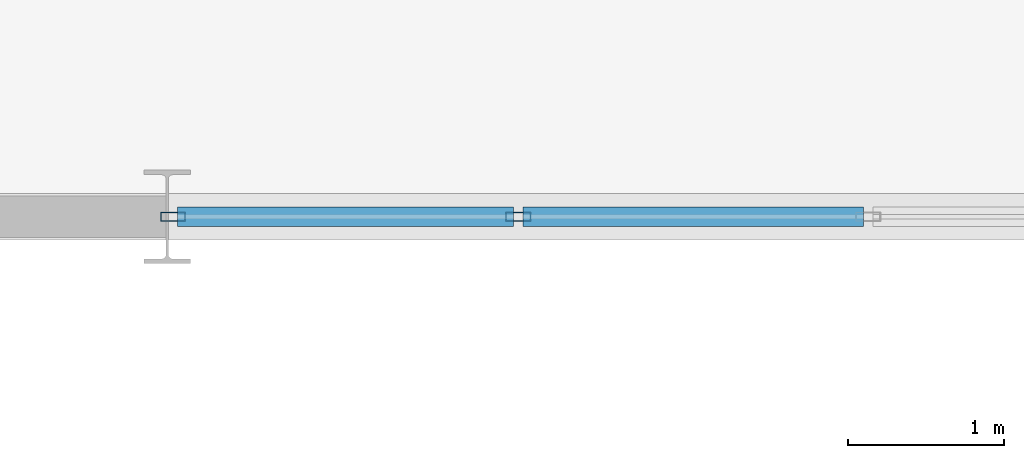
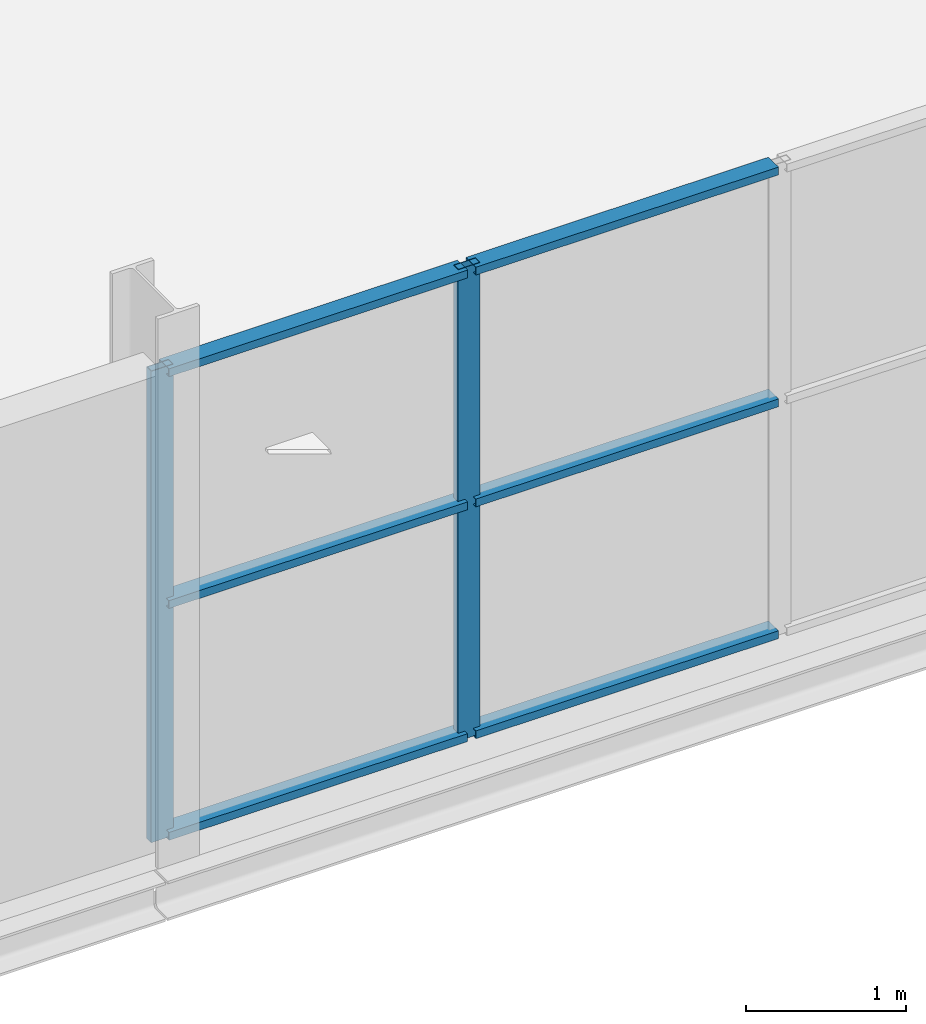
# One storey, part 19 of 44: 8 members, 1 element without a shape of its own.
"""IFC4 building model written with IfcOpenShell, lengths in metres."""

from ifc_helpers import new_model, si_unit, direction, frame, origin, origin_2d, place, context, subcontext, project, spatial, hollow_rectangle, extrude, material, layer, layer_set, material_profile, profile_set, type_object, element, aggregate, save


model = new_model("IFC4")

# Units and contexts
model_context = context("Model", 3, precision=1e-05, world=origin(), true_north=direction((0.0, 1.0)))
body_context = subcontext(model_context, "Body", "Model", "MODEL_VIEW")
ifc_project = project(units=[si_unit("LENGTHUNIT", "METRE"), si_unit("AREAUNIT", "SQUARE_METRE"), si_unit("VOLUMEUNIT", "CUBIC_METRE"), si_unit("PLANEANGLEUNIT", "RADIAN"), si_unit("MASSUNIT", "GRAM", prefix="KILO")], contexts=[model_context])

# Site, building, storey
site_placement = place(None, origin())
site = spatial("IfcSite", under=ifc_project, at=site_placement, CompositionType="ELEMENT")
building_placement = place(site_placement, origin())
building = spatial("IfcBuilding", under=site, at=building_placement, Name="Deido Ridge Mobility Hub", CompositionType="ELEMENT")
storey_placement = place(building_placement, frame((0.0, 0.0, 25.199951171875)))
storey = spatial("IfcBuildingStorey", under=building, at=storey_placement, Name="L06", CompositionType="ELEMENT", Elevation=25.199951171875)

# Curtain wall, members
ifc_material = material(Name="Anodised aluminium EN AW-6063 T6", Category="aluminium")
ifc_layer = layer(ifc_material, 0.195068359375, Name="Anodised aluminium EN AW-6063 T6")
ifc_layer_set = layer_set([ifc_layer], Name="Anodised aluminium EN AW-6063 T6")
curtain_wall_type = type_object("IfcCurtainWallType", Name="CW-UF-3", PredefinedType="USERDEFINED", material=ifc_layer_set)
curtain_wall_placement = place(storey_placement, origin())
curtain_wall = element("IfcCurtainWall", 1, at=curtain_wall_placement, inside=storey, type_object=curtain_wall_type, Name="Unitised curtain wall CW3", ObjectType="UNITISED FACADE", PredefinedType="USERDEFINED")
ifc_material_profile_1 = material_profile(ifc_material, hollow_rectangle(XDim=0.06005859375, YDim=0.159912109375, WallThickness=0.00390625, at=origin_2d()), Name="RHS 60x160x4")
ifc_profile_set_1 = profile_set([ifc_material_profile_1], Name="Anodised aluminium EN AW-6063 T6")
member_type_1 = type_object("IfcMemberType", Name="MEM-MUL-60X160", PredefinedType="MULLION", material=ifc_profile_set_1)
member_1_placement = place(storey_placement, frame((171.03759765625, 0.0, 0.0), z_axis=(0.0, 0.0, 1.0), x_axis=(0.0, 1.0, 0.0)))
member_1 = element("IfcMember", 2, at=member_1_placement, type_object=member_type_1, Name="CW3 mullion 1", PredefinedType="MULLION", context=body_context, shape_type="SweptSolid", body=[
    extrude(hollow_rectangle(XDim=0.06005859375, YDim=0.159912109375, WallThickness=0.00390625, at=origin_2d()), origin(), (0.0, 0.0, 1.0), 3.60009765625),
])
member_2_placement = place(storey_placement, frame((173.25390625, 0.0, 0.0), z_axis=(0.0, 0.0, 1.0), x_axis=(0.0, 1.0, 0.0)))
member_2 = element("IfcMember", 3, at=member_2_placement, type_object=member_type_1, Name="CW3 mullion 2", PredefinedType="MULLION", context=body_context, shape_type="SweptSolid", body=[
    extrude(hollow_rectangle(XDim=0.06005859375, YDim=0.159912109375, WallThickness=0.00390625, at=origin_2d()), origin(), (0.0, 0.0, 1.0), 3.60009765625),
])
ifc_material_profile_2 = material_profile(ifc_material, hollow_rectangle(XDim=0.125, YDim=0.06005859375, WallThickness=0.00390625, at=origin_2d()), Name="RHS 125x60x4")
ifc_profile_set_2 = profile_set([ifc_material_profile_2], Name="Anodised aluminium EN AW-6063 T6")
member_type_2 = type_object("IfcMemberType", Name="MEM-TRN-125X60", PredefinedType="USERDEFINED", material=ifc_profile_set_2)
member_3_placement = place(storey_placement, frame((171.067626953125, 0.0, 0.030029296875), z_axis=(1.0, 0.0, 0.0), x_axis=(0.0, 1.0, 0.0)))
member_3 = element("IfcMember", 4, at=member_3_placement, type_object=member_type_2, Name="CW3 transom 1.1", ObjectType="TRANSOM", PredefinedType="USERDEFINED", context=body_context, shape_type="SweptSolid", body=[
    extrude(hollow_rectangle(XDim=0.125, YDim=0.06005859375, WallThickness=0.00390625, at=origin_2d()), origin(), (0.0, 0.0, 1.0), 2.15625),
])
member_4_placement = place(storey_placement, frame((171.067626953125, 0.0, 1.800048828125), z_axis=(1.0, 0.0, 0.0), x_axis=(0.0, 1.0, 0.0)))
member_4 = element("IfcMember", 5, at=member_4_placement, type_object=member_type_2, Name="CW3 transom 1.2", ObjectType="TRANSOM", PredefinedType="USERDEFINED", context=body_context, shape_type="SweptSolid", body=[
    extrude(hollow_rectangle(XDim=0.125, YDim=0.06005859375, WallThickness=0.00390625, at=origin_2d()), origin(), (0.0, 0.0, 1.0), 2.15625),
])
member_5_placement = place(storey_placement, frame((171.067626953125, 0.0, 3.570068359375), z_axis=(1.0, 0.0, 0.0), x_axis=(0.0, 1.0, 0.0)))
member_5 = element("IfcMember", 6, at=member_5_placement, type_object=member_type_2, Name="CW3 transom 1.3", ObjectType="TRANSOM", PredefinedType="USERDEFINED", context=body_context, shape_type="SweptSolid", body=[
    extrude(hollow_rectangle(XDim=0.125, YDim=0.06005859375, WallThickness=0.00390625, at=origin_2d()), origin(), (0.0, 0.0, 1.0), 2.15625),
])
member_6_placement = place(storey_placement, frame((173.283935546875, 0.0, 0.030029296875), z_axis=(1.0, 0.0, 0.0), x_axis=(0.0, 1.0, 0.0)))
member_6 = element("IfcMember", 7, at=member_6_placement, type_object=member_type_2, Name="CW3 transom 2.1", ObjectType="TRANSOM", PredefinedType="USERDEFINED", context=body_context, shape_type="SweptSolid", body=[
    extrude(hollow_rectangle(XDim=0.125, YDim=0.06005859375, WallThickness=0.00390625, at=origin_2d()), origin(), (0.0, 0.0, 1.0), 2.18603515625),
])
member_7_placement = place(storey_placement, frame((173.283935546875, 0.0, 1.800048828125), z_axis=(1.0, 0.0, 0.0), x_axis=(0.0, 1.0, 0.0)))
member_7 = element("IfcMember", 8, at=member_7_placement, type_object=member_type_2, Name="CW3 transom 2.2", ObjectType="TRANSOM", PredefinedType="USERDEFINED", context=body_context, shape_type="SweptSolid", body=[
    extrude(hollow_rectangle(XDim=0.125, YDim=0.06005859375, WallThickness=0.00390625, at=origin_2d()), origin(), (0.0, 0.0, 1.0), 2.18603515625),
])
member_8_placement = place(storey_placement, frame((173.283935546875, 0.0, 3.570068359375), z_axis=(1.0, 0.0, 0.0), x_axis=(0.0, 1.0, 0.0)))
member_8 = element("IfcMember", 9, at=member_8_placement, type_object=member_type_2, Name="CW3 transom 2.3", ObjectType="TRANSOM", PredefinedType="USERDEFINED", context=body_context, shape_type="SweptSolid", body=[
    extrude(hollow_rectangle(XDim=0.125, YDim=0.06005859375, WallThickness=0.00390625, at=origin_2d()), origin(), (0.0, 0.0, 1.0), 2.18603515625),
])
aggregate(curtain_wall, [member_1, member_2, member_3, member_4, member_5, member_6, member_7, member_8])

save(model, "model.ifc")
